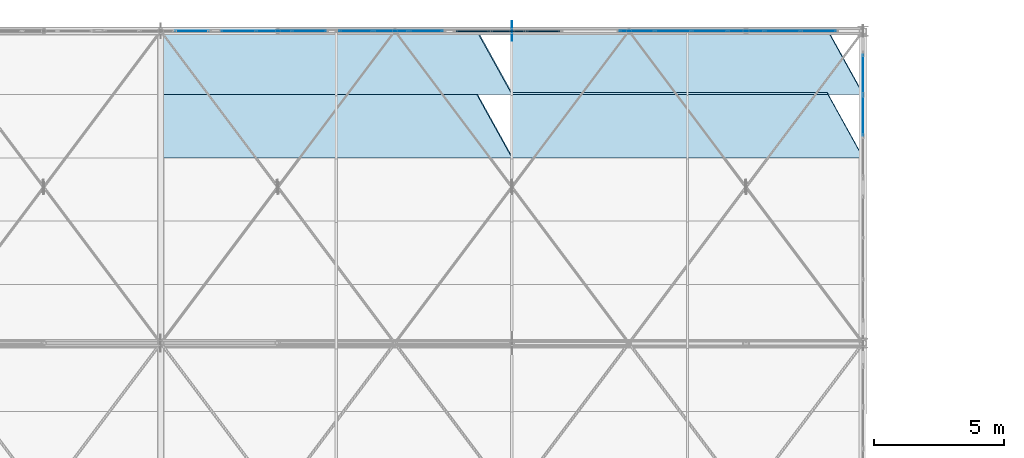
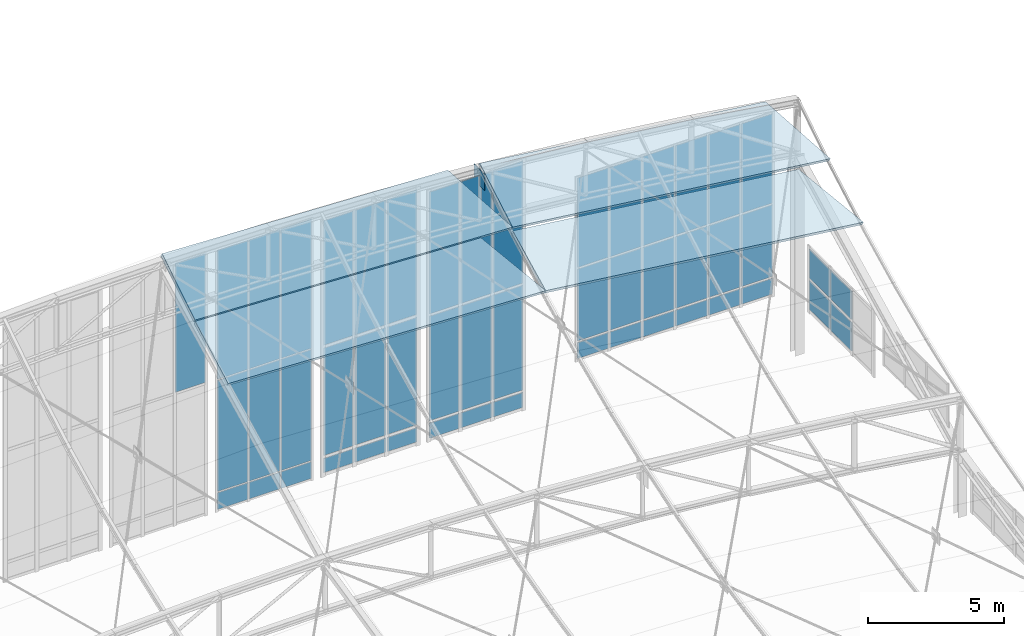
# One storey, part 235 of 262: 51 plates, 4 slabs, 6 elements without a shape of their own.
"""IFC4 building model written with IfcOpenShell, lengths in metres."""

from ifc_helpers import new_model, si_unit, derived_unit, direction, frame, origin, origin_2d, place, context, subcontext, project, spatial, polyline, rectangle, outline, extrude, material, layer, layer_set, type_object, element, aggregate, save


model = new_model("IFC4")

# Units and contexts
model_context = context("Model", 3, precision=1e-05, world=origin(), true_north=direction((0.0, 1.0)))
body_context = subcontext(model_context, "Body", "Model", "MODEL_VIEW")
ifc_project = project(units=[si_unit("LENGTHUNIT", "METRE"), si_unit("AREAUNIT", "SQUARE_METRE"), si_unit("VOLUMEUNIT", "CUBIC_METRE"), si_unit("PLANEANGLEUNIT", "RADIAN"), si_unit("MASSUNIT", "GRAM", prefix="KILO"), derived_unit("THERMALTRANSMITTANCEUNIT", [(si_unit("POWERUNIT", "WATT"), 1), (si_unit("LENGTHUNIT", "METRE"), -2), (si_unit("THERMODYNAMICTEMPERATUREUNIT", "KELVIN"), -1)])], contexts=[model_context])

# Site, building, storey
site_placement = place(None, origin())
site = spatial("IfcSite", under=ifc_project, at=site_placement, CompositionType="ELEMENT")
building_placement = place(site_placement, origin())
building = spatial("IfcBuilding", under=site, at=building_placement, Name="Almenara Railside Exhibition Hall", CompositionType="ELEMENT")
storey_placement = place(building_placement, frame((0.0, 0.0, 21.699951171875)))
storey = spatial("IfcBuildingStorey", under=building, at=storey_placement, Name="RF", CompositionType="ELEMENT", Elevation=21.699951171875)

# Curtain wall, plates
ifc_material_1 = material(Name="Bronze-anodised aluminium and low-E double glazing", Category="aluminium")
ifc_layer_1 = layer(ifc_material_1, 0.179931640625, Name="Bronze-anodised aluminium and low-E double glazing")
ifc_layer_set_1 = layer_set([ifc_layer_1], Name="Bronze-anodised aluminium and low-E double glazing")
curtain_wall_type_1 = type_object("IfcCurtainWallType", Name="West Hall Clerestory Curtain Wall 4200x2400", PredefinedType="NOTDEFINED", material=ifc_layer_set_1)
curtain_wall_1_placement = place(storey_placement, origin())
curtain_wall_1 = element("IfcCurtainWall", 1, at=curtain_wall_1_placement, inside=storey, type_object=curtain_wall_type_1, Name="Curtain wall CW-CL1-195", PredefinedType="NOTDEFINED")
ifc_material_2 = material(Name="Solar-control acoustic laminated glazing", Category="glass")
ifc_layer_2 = layer(ifc_material_2, 0.031982421875, Name="Solar-control acoustic laminated glazing")
ifc_layer_set_2 = layer_set([ifc_layer_2], Name="Solar-control acoustic laminated glazing")
plate_type_1 = type_object("IfcPlateType", Name="Acoustic Low-E Double Glazing Panel 32mm", PredefinedType="CURTAIN_PANEL", material=ifc_layer_set_2)
plate_1_placement = place(storey_placement, frame((66.0, 128.75, 0.093994140625), z_axis=(0.0, 0.0, 1.0), x_axis=(0.0, 1.0, 0.0)))
plate_1 = element("IfcPlate", 2, at=plate_1_placement, type_object=plate_type_1, Name="CW-CL1-195 panel 2.1", PredefinedType="CURTAIN_PANEL", context=body_context, shape_type="SweptSolid", body=[
    extrude(rectangle(XDim=1.5458984375, YDim=0.031982421875, at=origin_2d()), origin(), (0.0, 0.0, 1.0), 1.287109375),
])
plate_2_placement = place(storey_placement, frame((66.0, 128.75, 1.509033203125), z_axis=(0.0, 0.0, 1.0), x_axis=(0.0, 1.0, 0.0)))
plate_2 = element("IfcPlate", 3, at=plate_2_placement, type_object=plate_type_1, Name="CW-CL1-195 panel 2.2", PredefinedType="CURTAIN_PANEL", context=body_context, shape_type="SweptSolid", body=[
    extrude(rectangle(XDim=1.5458984375, YDim=0.031982421875, at=origin_2d()), origin(), (0.0, 0.0, 1.0), 1.287109375),
])
plate_3_placement = place(storey_placement, frame((66.0, 130.33251953125, 0.093994140625), z_axis=(0.0, 0.0, 1.0), x_axis=(0.0, 1.0, 0.0)))
plate_3 = element("IfcPlate", 4, at=plate_3_placement, type_object=plate_type_1, Name="CW-CL1-195 panel 3.1", PredefinedType="CURTAIN_PANEL", context=body_context, shape_type="SweptSolid", body=[
    extrude(rectangle(XDim=1.510986328125, YDim=0.031982421875, at=origin_2d()), origin(), (0.0, 0.0, 1.0), 1.287109375),
])
plate_4_placement = place(storey_placement, frame((66.0, 130.33251953125, 1.509033203125), z_axis=(0.0, 0.0, 1.0), x_axis=(0.0, 1.0, 0.0)))
plate_4 = element("IfcPlate", 5, at=plate_4_placement, type_object=plate_type_1, Name="CW-CL1-195 panel 3.2", PredefinedType="CURTAIN_PANEL", context=body_context, shape_type="SweptSolid", body=[
    extrude(rectangle(XDim=1.510986328125, YDim=0.031982421875, at=origin_2d()), origin(), (0.0, 0.0, 1.0), 1.287109375),
])
aggregate(curtain_wall_1, [plate_1, plate_2, plate_3, plate_4])

# Curtain wall, plate
ifc_layer_3 = layer(ifc_material_1, 0.179931640625, Name="Bronze-anodised aluminium and low-E double glazing")
ifc_layer_set_3 = layer_set([ifc_layer_3], Name="Bronze-anodised aluminium and low-E double glazing")
curtain_wall_type_2 = type_object("IfcCurtainWallType", Name="Scroll Gable Tall Curtain Wall 3800x5400", PredefinedType="NOTDEFINED", material=ifc_layer_set_3)
curtain_wall_2_placement = place(storey_placement, origin())
curtain_wall_2 = element("IfcCurtainWall", 6, at=curtain_wall_2_placement, inside=storey, type_object=curtain_wall_type_2, Name="Curtain wall CW-G1-210", PredefinedType="NOTDEFINED")
plate_5_placement = place(storey_placement, frame((40.20166015625, 132.0, 5.06396484375), z_axis=(0.0, 0.0, 1.0), x_axis=(1.0, 0.0, 0.0)))
plate_5 = element("IfcPlate", 7, at=plate_5_placement, type_object=plate_type_1, Name="CW-G1-210 panel 3.3", PredefinedType="CURTAIN_PANEL", context=body_context, shape_type="SweptSolid", body=[
    extrude(rectangle(XDim=1.292724609375, YDim=0.031982421875, at=origin_2d()), origin(), (0.0, 0.0, 1.0), 5.7919921875),
])
aggregate(curtain_wall_2, [plate_5])

# Curtain wall, plates
curtain_wall_3_placement = place(storey_placement, origin())
curtain_wall_3 = element("IfcCurtainWall", 8, at=curtain_wall_3_placement, inside=storey, type_object=curtain_wall_type_2, Name="Curtain wall CW-G1-212", PredefinedType="NOTDEFINED")
ifc_material_3 = material(Name="Clear low-E laminated double glazing", Category="glass")
ifc_layer_4 = layer(ifc_material_3, 0.02392578125, Name="Clear low-E laminated double glazing")
ifc_layer_set_4 = layer_set([ifc_layer_4], Name="Clear low-E laminated double glazing")
plate_type_2 = type_object("IfcPlateType", Name="Courtyard Clear Double Glazing Panel 24mm", PredefinedType="CURTAIN_PANEL", material=ifc_layer_set_4)
plate_6_placement = place(storey_placement, frame((46.500732421875, 132.0, -0.756103515625), z_axis=(0.0, 0.0, 1.0), x_axis=(1.0, 0.0, 0.0)))
plate_6 = element("IfcPlate", 9, at=plate_6_placement, type_object=plate_type_2, Name="CW-G1-212 panel 1.1", PredefinedType="CURTAIN_PANEL", context=body_context, shape_type="SweptSolid", body=[
    extrude(rectangle(XDim=1.277587890625, YDim=0.02392578125, at=origin_2d()), origin(), (0.0, 0.0, 1.0), 0.64208984375),
])
plate_7_placement = place(storey_placement, frame((46.500732421875, 132.0, 0.01416015625), z_axis=(0.0, 0.0, 1.0), x_axis=(1.0, 0.0, 0.0)))
plate_7 = element("IfcPlate", 10, at=plate_7_placement, type_object=plate_type_2, Name="CW-G1-212 panel 1.2", PredefinedType="CURTAIN_PANEL", context=body_context, shape_type="SweptSolid", body=[
    extrude(rectangle(XDim=1.277587890625, YDim=0.02392578125, at=origin_2d()), origin(), (0.0, 0.0, 1.0), 4.826904296875),
])
plate_8_placement = place(storey_placement, frame((46.500732421875, 132.0, 4.96923828125), z_axis=(0.0, 0.0, 1.0), x_axis=(1.0, 0.0, 0.0)))
plate_8 = element("IfcPlate", 11, at=plate_8_placement, type_object=plate_type_2, Name="CW-G1-212 panel 1.3", PredefinedType="CURTAIN_PANEL", context=body_context, shape_type="SweptSolid", body=[
    extrude(rectangle(XDim=1.277587890625, YDim=0.02392578125, at=origin_2d()), origin(), (0.0, 0.0, 1.0), 5.596923828125),
])
plate_9_placement = place(storey_placement, frame((47.85009765625, 132.0, -0.756103515625), z_axis=(0.0, 0.0, 1.0), x_axis=(1.0, 0.0, 0.0)))
plate_9 = element("IfcPlate", 12, at=plate_9_placement, type_object=plate_type_2, Name="CW-G1-212 panel 2.1", PredefinedType="CURTAIN_PANEL", context=body_context, shape_type="SweptSolid", body=[
    extrude(rectangle(XDim=1.312744140625, YDim=0.02392578125, at=origin_2d()), origin(), (0.0, 0.0, 1.0), 0.64208984375),
])
plate_10_placement = place(storey_placement, frame((47.85009765625, 132.0, 0.01416015625), z_axis=(0.0, 0.0, 1.0), x_axis=(1.0, 0.0, 0.0)))
plate_10 = element("IfcPlate", 13, at=plate_10_placement, type_object=plate_type_2, Name="CW-G1-212 panel 2.2", PredefinedType="CURTAIN_PANEL", context=body_context, shape_type="SweptSolid", body=[
    extrude(rectangle(XDim=1.312744140625, YDim=0.02392578125, at=origin_2d()), origin(), (0.0, 0.0, 1.0), 4.826904296875),
])
plate_11_placement = place(storey_placement, frame((47.85009765625, 132.0, 4.96923828125), z_axis=(0.0, 0.0, 1.0), x_axis=(1.0, 0.0, 0.0)))
plate_11 = element("IfcPlate", 14, at=plate_11_placement, type_object=plate_type_2, Name="CW-G1-212 panel 2.3", PredefinedType="CURTAIN_PANEL", context=body_context, shape_type="SweptSolid", body=[
    extrude(rectangle(XDim=1.312744140625, YDim=0.02392578125, at=origin_2d()), origin(), (0.0, 0.0, 1.0), 5.596923828125),
])
plate_12_placement = place(storey_placement, frame((49.19921875, 132.0, -0.756103515625), z_axis=(0.0, 0.0, 1.0), x_axis=(1.0, 0.0, 0.0)))
plate_12 = element("IfcPlate", 15, at=plate_12_placement, type_object=plate_type_2, Name="CW-G1-212 panel 3.1", PredefinedType="CURTAIN_PANEL", context=body_context, shape_type="SweptSolid", body=[
    extrude(rectangle(XDim=1.277587890625, YDim=0.02392578125, at=origin_2d()), origin(), (0.0, 0.0, 1.0), 0.64208984375),
])
plate_13_placement = place(storey_placement, frame((49.19921875, 132.0, 0.01416015625), z_axis=(0.0, 0.0, 1.0), x_axis=(1.0, 0.0, 0.0)))
plate_13 = element("IfcPlate", 16, at=plate_13_placement, type_object=plate_type_2, Name="CW-G1-212 panel 3.2", PredefinedType="CURTAIN_PANEL", context=body_context, shape_type="SweptSolid", body=[
    extrude(rectangle(XDim=1.277587890625, YDim=0.02392578125, at=origin_2d()), origin(), (0.0, 0.0, 1.0), 4.826904296875),
])
plate_14_placement = place(storey_placement, frame((49.19921875, 132.0, 4.96923828125), z_axis=(0.0, 0.0, 1.0), x_axis=(1.0, 0.0, 0.0)))
plate_14 = element("IfcPlate", 17, at=plate_14_placement, type_object=plate_type_2, Name="CW-G1-212 panel 3.3", PredefinedType="CURTAIN_PANEL", context=body_context, shape_type="SweptSolid", body=[
    extrude(rectangle(XDim=1.277587890625, YDim=0.02392578125, at=origin_2d()), origin(), (0.0, 0.0, 1.0), 5.596923828125),
])
aggregate(curtain_wall_3, [plate_6, plate_7, plate_8, plate_9, plate_10, plate_11, plate_12, plate_13, plate_14])

curtain_wall_4_placement = place(storey_placement, origin())
curtain_wall_4 = element("IfcCurtainWall", 18, at=curtain_wall_4_placement, inside=storey, type_object=curtain_wall_type_2, Name="Curtain wall CW-G1-213", PredefinedType="NOTDEFINED")
ifc_material_4 = material(Name="Bronze-anodised insulated aluminium spandrel", Category="aluminium")
ifc_layer_5 = layer(ifc_material_4, 0.0400390625, Name="Bronze-anodised insulated aluminium spandrel")
ifc_layer_set_5 = layer_set([ifc_layer_5], Name="Bronze-anodised insulated aluminium spandrel")
plate_type_3 = type_object("IfcPlateType", Name="Insulated Bronze Spandrel Panel 40mm", PredefinedType="CURTAIN_PANEL", material=ifc_layer_set_5)
plate_15_placement = place(storey_placement, frame((50.99951171875, 132.0, -0.77587890625), z_axis=(0.0, 0.0, 1.0), x_axis=(1.0, 0.0, 0.0)))
plate_15 = element("IfcPlate", 19, at=plate_15_placement, type_object=plate_type_3, Name="CW-G1-213 panel 1.1", PredefinedType="CURTAIN_PANEL", context=body_context, shape_type="SweptSolid", body=[
    extrude(rectangle(XDim=1.28515625, YDim=0.0400390625, at=origin_2d()), origin(), (0.0, 0.0, 1.0), 0.672119140625),
])
plate_16_placement = place(storey_placement, frame((50.99951171875, 132.0, 0.00390625), z_axis=(0.0, 0.0, 1.0), x_axis=(1.0, 0.0, 0.0)))
plate_16 = element("IfcPlate", 20, at=plate_16_placement, type_object=plate_type_3, Name="CW-G1-213 panel 1.2", PredefinedType="CURTAIN_PANEL", context=body_context, shape_type="SweptSolid", body=[
    extrude(rectangle(XDim=1.28515625, YDim=0.0400390625, at=origin_2d()), origin(), (0.0, 0.0, 1.0), 4.697021484375),
])
plate_17_placement = place(storey_placement, frame((50.99951171875, 132.0, 4.80908203125), z_axis=(0.0, 0.0, 1.0), x_axis=(1.0, 0.0, 0.0)))
plate_17 = element("IfcPlate", 21, at=plate_17_placement, type_object=plate_type_3, Name="CW-G1-213 panel 1.3", PredefinedType="CURTAIN_PANEL", context=body_context, shape_type="SweptSolid", body=[
    extrude(rectangle(XDim=1.28515625, YDim=0.0400390625, at=origin_2d()), origin(), (0.0, 0.0, 1.0), 5.47705078125),
])
plate_18_placement = place(storey_placement, frame((52.35009765625, 132.0, -0.77587890625), z_axis=(0.0, 0.0, 1.0), x_axis=(1.0, 0.0, 0.0)))
plate_18 = element("IfcPlate", 22, at=plate_18_placement, type_object=plate_type_3, Name="CW-G1-213 panel 2.1", PredefinedType="CURTAIN_PANEL", context=body_context, shape_type="SweptSolid", body=[
    extrude(rectangle(XDim=1.317626953125, YDim=0.0400390625, at=origin_2d()), origin(), (0.0, 0.0, 1.0), 0.672119140625),
])
plate_19_placement = place(storey_placement, frame((52.35009765625, 132.0, 0.00390625), z_axis=(0.0, 0.0, 1.0), x_axis=(1.0, 0.0, 0.0)))
plate_19 = element("IfcPlate", 23, at=plate_19_placement, type_object=plate_type_3, Name="CW-G1-213 panel 2.2", PredefinedType="CURTAIN_PANEL", context=body_context, shape_type="SweptSolid", body=[
    extrude(rectangle(XDim=1.317626953125, YDim=0.0400390625, at=origin_2d()), origin(), (0.0, 0.0, 1.0), 4.697021484375),
])
plate_20_placement = place(storey_placement, frame((52.35009765625, 132.0, 4.80908203125), z_axis=(0.0, 0.0, 1.0), x_axis=(1.0, 0.0, 0.0)))
plate_20 = element("IfcPlate", 24, at=plate_20_placement, type_object=plate_type_3, Name="CW-G1-213 panel 2.3", PredefinedType="CURTAIN_PANEL", context=body_context, shape_type="SweptSolid", body=[
    extrude(rectangle(XDim=1.317626953125, YDim=0.0400390625, at=origin_2d()), origin(), (0.0, 0.0, 1.0), 5.47705078125),
])
plate_21_placement = place(storey_placement, frame((53.700439453125, 132.0, -0.77587890625), z_axis=(0.0, 0.0, 1.0), x_axis=(1.0, 0.0, 0.0)))
plate_21 = element("IfcPlate", 25, at=plate_21_placement, type_object=plate_type_3, Name="CW-G1-213 panel 3.1", PredefinedType="CURTAIN_PANEL", context=body_context, shape_type="SweptSolid", body=[
    extrude(rectangle(XDim=1.28515625, YDim=0.0400390625, at=origin_2d()), origin(), (0.0, 0.0, 1.0), 0.672119140625),
])
plate_22_placement = place(storey_placement, frame((53.700439453125, 132.0, 0.00390625), z_axis=(0.0, 0.0, 1.0), x_axis=(1.0, 0.0, 0.0)))
plate_22 = element("IfcPlate", 26, at=plate_22_placement, type_object=plate_type_3, Name="CW-G1-213 panel 3.2", PredefinedType="CURTAIN_PANEL", context=body_context, shape_type="SweptSolid", body=[
    extrude(rectangle(XDim=1.28515625, YDim=0.0400390625, at=origin_2d()), origin(), (0.0, 0.0, 1.0), 4.697021484375),
])
plate_23_placement = place(storey_placement, frame((53.700439453125, 132.0, 4.80908203125), z_axis=(0.0, 0.0, 1.0), x_axis=(1.0, 0.0, 0.0)))
plate_23 = element("IfcPlate", 27, at=plate_23_placement, type_object=plate_type_3, Name="CW-G1-213 panel 3.3", PredefinedType="CURTAIN_PANEL", context=body_context, shape_type="SweptSolid", body=[
    extrude(rectangle(XDim=1.28515625, YDim=0.0400390625, at=origin_2d()), origin(), (0.0, 0.0, 1.0), 5.47705078125),
])
aggregate(curtain_wall_4, [plate_15, plate_16, plate_17, plate_18, plate_19, plate_20, plate_21, plate_22, plate_23])

curtain_wall_5_placement = place(storey_placement, origin())
curtain_wall_5 = element("IfcCurtainWall", 28, at=curtain_wall_5_placement, inside=storey, type_object=curtain_wall_type_2, Name="Curtain wall CW-G1-206", PredefinedType="NOTDEFINED")
ifc_material_5 = material(Name="Solar-control low-E laminated double glazing", Category="glass")
ifc_layer_6 = layer(ifc_material_5, 0.028076171875, Name="Solar-control low-E laminated double glazing")
ifc_layer_set_6 = layer_set([ifc_layer_6], Name="Solar-control low-E laminated double glazing")
plate_type_4 = type_object("IfcPlateType", Name="Low-E Solar Control Double Glazing Panel 28mm", PredefinedType="CURTAIN_PANEL", material=ifc_layer_set_6)
plate_24_placement = place(storey_placement, frame((57.31494140625, 132.0, 0.59423828125), z_axis=(0.0, 0.0, 1.0), x_axis=(1.0, 0.0, 0.0)))
plate_24 = element("IfcPlate", 29, at=plate_24_placement, type_object=plate_type_4, Name="CW-G1-206 panel 1.1", PredefinedType="CURTAIN_PANEL", context=body_context, shape_type="SweptSolid", body=[
    extrude(rectangle(XDim=1.325927734375, YDim=0.028076171875, at=origin_2d()), origin(), (0.0, 0.0, 1.0), 0.717041015625),
])
plate_25_placement = place(storey_placement, frame((57.31494140625, 132.0, 1.38916015625), z_axis=(0.0, 0.0, 1.0), x_axis=(1.0, 0.0, 0.0)))
plate_25 = element("IfcPlate", 30, at=plate_25_placement, type_object=plate_type_4, Name="CW-G1-206 panel 1.2", PredefinedType="CURTAIN_PANEL", context=body_context, shape_type="SweptSolid", body=[
    extrude(rectangle(XDim=1.325927734375, YDim=0.028076171875, at=origin_2d()), origin(), (0.0, 0.0, 1.0), 3.221923828125),
])
plate_26_placement = place(storey_placement, frame((57.31494140625, 132.0, 4.68896484375), z_axis=(0.0, 0.0, 1.0), x_axis=(1.0, 0.0, 0.0)))
plate_26 = element("IfcPlate", 31, at=plate_26_placement, type_object=plate_type_4, Name="CW-G1-206 panel 1.3", PredefinedType="CURTAIN_PANEL", context=body_context, shape_type="SweptSolid", body=[
    extrude(rectangle(XDim=1.325927734375, YDim=0.028076171875, at=origin_2d()), origin(), (0.0, 0.0, 1.0), 4.01708984375),
])
plate_27_placement = place(storey_placement, frame((58.699951171875, 132.0, 0.59423828125), z_axis=(0.0, 0.0, 1.0), x_axis=(1.0, 0.0, 0.0)))
plate_27 = element("IfcPlate", 32, at=plate_27_placement, type_object=plate_type_4, Name="CW-G1-206 panel 2.1", PredefinedType="CURTAIN_PANEL", context=body_context, shape_type="SweptSolid", body=[
    extrude(rectangle(XDim=1.35595703125, YDim=0.028076171875, at=origin_2d()), origin(), (0.0, 0.0, 1.0), 0.717041015625),
])
plate_28_placement = place(storey_placement, frame((58.699951171875, 132.0, 1.38916015625), z_axis=(0.0, 0.0, 1.0), x_axis=(1.0, 0.0, 0.0)))
plate_28 = element("IfcPlate", 33, at=plate_28_placement, type_object=plate_type_4, Name="CW-G1-206 panel 2.2", PredefinedType="CURTAIN_PANEL", context=body_context, shape_type="SweptSolid", body=[
    extrude(rectangle(XDim=1.35595703125, YDim=0.028076171875, at=origin_2d()), origin(), (0.0, 0.0, 1.0), 3.221923828125),
])
plate_29_placement = place(storey_placement, frame((58.699951171875, 132.0, 4.68896484375), z_axis=(0.0, 0.0, 1.0), x_axis=(1.0, 0.0, 0.0)))
plate_29 = element("IfcPlate", 34, at=plate_29_placement, type_object=plate_type_4, Name="CW-G1-206 panel 2.3", PredefinedType="CURTAIN_PANEL", context=body_context, shape_type="SweptSolid", body=[
    extrude(rectangle(XDim=1.35595703125, YDim=0.028076171875, at=origin_2d()), origin(), (0.0, 0.0, 1.0), 4.01708984375),
])
plate_30_placement = place(storey_placement, frame((60.10009765625, 132.0, 0.59423828125), z_axis=(0.0, 0.0, 1.0), x_axis=(1.0, 0.0, 0.0)))
plate_30 = element("IfcPlate", 35, at=plate_30_placement, type_object=plate_type_4, Name="CW-G1-206 panel 3.1", PredefinedType="CURTAIN_PANEL", context=body_context, shape_type="SweptSolid", body=[
    extrude(rectangle(XDim=1.35595703125, YDim=0.028076171875, at=origin_2d()), origin(), (0.0, 0.0, 1.0), 0.717041015625),
])
plate_31_placement = place(storey_placement, frame((60.10009765625, 132.0, 1.38916015625), z_axis=(0.0, 0.0, 1.0), x_axis=(1.0, 0.0, 0.0)))
plate_31 = element("IfcPlate", 36, at=plate_31_placement, type_object=plate_type_4, Name="CW-G1-206 panel 3.2", PredefinedType="CURTAIN_PANEL", context=body_context, shape_type="SweptSolid", body=[
    extrude(rectangle(XDim=1.35595703125, YDim=0.028076171875, at=origin_2d()), origin(), (0.0, 0.0, 1.0), 3.221923828125),
])
plate_32_placement = place(storey_placement, frame((60.10009765625, 132.0, 4.68896484375), z_axis=(0.0, 0.0, 1.0), x_axis=(1.0, 0.0, 0.0)))
plate_32 = element("IfcPlate", 37, at=plate_32_placement, type_object=plate_type_4, Name="CW-G1-206 panel 3.3", PredefinedType="CURTAIN_PANEL", context=body_context, shape_type="SweptSolid", body=[
    extrude(rectangle(XDim=1.35595703125, YDim=0.028076171875, at=origin_2d()), origin(), (0.0, 0.0, 1.0), 4.01708984375),
])
plate_33_placement = place(storey_placement, frame((61.5, 132.0, 0.59423828125), z_axis=(0.0, 0.0, 1.0), x_axis=(1.0, 0.0, 0.0)))
plate_33 = element("IfcPlate", 38, at=plate_33_placement, type_object=plate_type_4, Name="CW-G1-206 panel 4.1", PredefinedType="CURTAIN_PANEL", context=body_context, shape_type="SweptSolid", body=[
    extrude(rectangle(XDim=1.35595703125, YDim=0.028076171875, at=origin_2d()), origin(), (0.0, 0.0, 1.0), 0.717041015625),
])
plate_34_placement = place(storey_placement, frame((61.5, 132.0, 1.38916015625), z_axis=(0.0, 0.0, 1.0), x_axis=(1.0, 0.0, 0.0)))
plate_34 = element("IfcPlate", 39, at=plate_34_placement, type_object=plate_type_4, Name="CW-G1-206 panel 4.2", PredefinedType="CURTAIN_PANEL", context=body_context, shape_type="SweptSolid", body=[
    extrude(rectangle(XDim=1.35595703125, YDim=0.028076171875, at=origin_2d()), origin(), (0.0, 0.0, 1.0), 3.221923828125),
])
plate_35_placement = place(storey_placement, frame((61.5, 132.0, 4.68896484375), z_axis=(0.0, 0.0, 1.0), x_axis=(1.0, 0.0, 0.0)))
plate_35 = element("IfcPlate", 40, at=plate_35_placement, type_object=plate_type_4, Name="CW-G1-206 panel 4.3", PredefinedType="CURTAIN_PANEL", context=body_context, shape_type="SweptSolid", body=[
    extrude(rectangle(XDim=1.35595703125, YDim=0.028076171875, at=origin_2d()), origin(), (0.0, 0.0, 1.0), 4.01708984375),
])
plate_36_placement = place(storey_placement, frame((62.89990234375, 132.0, 0.59423828125), z_axis=(0.0, 0.0, 1.0), x_axis=(1.0, 0.0, 0.0)))
plate_36 = element("IfcPlate", 41, at=plate_36_placement, type_object=plate_type_4, Name="CW-G1-206 panel 5.1", PredefinedType="CURTAIN_PANEL", context=body_context, shape_type="SweptSolid", body=[
    extrude(rectangle(XDim=1.35595703125, YDim=0.028076171875, at=origin_2d()), origin(), (0.0, 0.0, 1.0), 0.717041015625),
])
plate_37_placement = place(storey_placement, frame((62.89990234375, 132.0, 1.38916015625), z_axis=(0.0, 0.0, 1.0), x_axis=(1.0, 0.0, 0.0)))
plate_37 = element("IfcPlate", 42, at=plate_37_placement, type_object=plate_type_4, Name="CW-G1-206 panel 5.2", PredefinedType="CURTAIN_PANEL", context=body_context, shape_type="SweptSolid", body=[
    extrude(rectangle(XDim=1.35595703125, YDim=0.028076171875, at=origin_2d()), origin(), (0.0, 0.0, 1.0), 3.221923828125),
])
plate_38_placement = place(storey_placement, frame((62.89990234375, 132.0, 4.68896484375), z_axis=(0.0, 0.0, 1.0), x_axis=(1.0, 0.0, 0.0)))
plate_38 = element("IfcPlate", 43, at=plate_38_placement, type_object=plate_type_4, Name="CW-G1-206 panel 5.3", PredefinedType="CURTAIN_PANEL", context=body_context, shape_type="SweptSolid", body=[
    extrude(rectangle(XDim=1.35595703125, YDim=0.028076171875, at=origin_2d()), origin(), (0.0, 0.0, 1.0), 4.01708984375),
])
plate_39_placement = place(storey_placement, frame((64.284912109375, 132.0, 0.59423828125), z_axis=(0.0, 0.0, 1.0), x_axis=(1.0, 0.0, 0.0)))
plate_39 = element("IfcPlate", 44, at=plate_39_placement, type_object=plate_type_4, Name="CW-G1-206 panel 6.1", PredefinedType="CURTAIN_PANEL", context=body_context, shape_type="SweptSolid", body=[
    extrude(rectangle(XDim=1.325927734375, YDim=0.028076171875, at=origin_2d()), origin(), (0.0, 0.0, 1.0), 0.717041015625),
])
plate_40_placement = place(storey_placement, frame((64.284912109375, 132.0, 1.38916015625), z_axis=(0.0, 0.0, 1.0), x_axis=(1.0, 0.0, 0.0)))
plate_40 = element("IfcPlate", 45, at=plate_40_placement, type_object=plate_type_4, Name="CW-G1-206 panel 6.2", PredefinedType="CURTAIN_PANEL", context=body_context, shape_type="SweptSolid", body=[
    extrude(rectangle(XDim=1.325927734375, YDim=0.028076171875, at=origin_2d()), origin(), (0.0, 0.0, 1.0), 3.221923828125),
])
plate_41_placement = place(storey_placement, frame((64.284912109375, 132.0, 4.68896484375), z_axis=(0.0, 0.0, 1.0), x_axis=(1.0, 0.0, 0.0)))
plate_41 = element("IfcPlate", 46, at=plate_41_placement, type_object=plate_type_4, Name="CW-G1-206 panel 6.3", PredefinedType="CURTAIN_PANEL", context=body_context, shape_type="SweptSolid", body=[
    extrude(rectangle(XDim=1.325927734375, YDim=0.028076171875, at=origin_2d()), origin(), (0.0, 0.0, 1.0), 4.01708984375),
])
aggregate(curtain_wall_5, [plate_24, plate_25, plate_26, plate_27, plate_28, plate_29, plate_30, plate_31, plate_32, plate_33, plate_34, plate_35, plate_36, plate_37, plate_38, plate_39, plate_40, plate_41])

curtain_wall_6_placement = place(storey_placement, origin())
curtain_wall_6 = element("IfcCurtainWall", 47, at=curtain_wall_6_placement, inside=storey, type_object=curtain_wall_type_2, Name="Curtain wall CW-G1-211", PredefinedType="NOTDEFINED")
plate_42_placement = place(storey_placement, frame((41.9970703125, 132.0, -0.825927734375), z_axis=(0.0, 0.0, 1.0), x_axis=(1.0, 0.0, 0.0)))
plate_42 = element("IfcPlate", 48, at=plate_42_placement, type_object=plate_type_4, Name="CW-G1-211 panel 1.1", PredefinedType="CURTAIN_PANEL", context=body_context, shape_type="SweptSolid", body=[
    extrude(rectangle(XDim=1.300048828125, YDim=0.028076171875, at=origin_2d()), origin(), (0.0, 0.0, 1.0), 0.7470703125),
])
plate_43_placement = place(storey_placement, frame((41.9970703125, 132.0, -0.02099609375), z_axis=(0.0, 0.0, 1.0), x_axis=(1.0, 0.0, 0.0)))
plate_43 = element("IfcPlate", 49, at=plate_43_placement, type_object=plate_type_4, Name="CW-G1-211 panel 1.2", PredefinedType="CURTAIN_PANEL", context=body_context, shape_type="SweptSolid", body=[
    extrude(rectangle(XDim=1.300048828125, YDim=0.028076171875, at=origin_2d()), origin(), (0.0, 0.0, 1.0), 4.987060546875),
])
plate_44_placement = place(storey_placement, frame((41.9970703125, 132.0, 5.024169921875), z_axis=(0.0, 0.0, 1.0), x_axis=(1.0, 0.0, 0.0)))
plate_44 = element("IfcPlate", 50, at=plate_44_placement, type_object=plate_type_4, Name="CW-G1-211 panel 1.3", PredefinedType="CURTAIN_PANEL", context=body_context, shape_type="SweptSolid", body=[
    extrude(rectangle(XDim=1.300048828125, YDim=0.028076171875, at=origin_2d()), origin(), (0.0, 0.0, 1.0), 5.7919921875),
])
plate_45_placement = place(storey_placement, frame((43.35009765625, 132.0, -0.825927734375), z_axis=(0.0, 0.0, 1.0), x_axis=(1.0, 0.0, 0.0)))
plate_45 = element("IfcPlate", 51, at=plate_45_placement, type_object=plate_type_4, Name="CW-G1-211 panel 2.1", PredefinedType="CURTAIN_PANEL", context=body_context, shape_type="SweptSolid", body=[
    extrude(rectangle(XDim=1.32763671875, YDim=0.028076171875, at=origin_2d()), origin(), (0.0, 0.0, 1.0), 0.7470703125),
])
plate_46_placement = place(storey_placement, frame((43.35009765625, 132.0, -0.02099609375), z_axis=(0.0, 0.0, 1.0), x_axis=(1.0, 0.0, 0.0)))
plate_46 = element("IfcPlate", 52, at=plate_46_placement, type_object=plate_type_4, Name="CW-G1-211 panel 2.2", PredefinedType="CURTAIN_PANEL", context=body_context, shape_type="SweptSolid", body=[
    extrude(rectangle(XDim=1.32763671875, YDim=0.028076171875, at=origin_2d()), origin(), (0.0, 0.0, 1.0), 4.987060546875),
])
plate_47_placement = place(storey_placement, frame((43.35009765625, 132.0, 5.024169921875), z_axis=(0.0, 0.0, 1.0), x_axis=(1.0, 0.0, 0.0)))
plate_47 = element("IfcPlate", 53, at=plate_47_placement, type_object=plate_type_4, Name="CW-G1-211 panel 2.3", PredefinedType="CURTAIN_PANEL", context=body_context, shape_type="SweptSolid", body=[
    extrude(rectangle(XDim=1.32763671875, YDim=0.028076171875, at=origin_2d()), origin(), (0.0, 0.0, 1.0), 5.7919921875),
])
plate_48_placement = place(storey_placement, frame((44.702880859375, 132.0, -0.825927734375), z_axis=(0.0, 0.0, 1.0), x_axis=(1.0, 0.0, 0.0)))
plate_48 = element("IfcPlate", 54, at=plate_48_placement, type_object=plate_type_4, Name="CW-G1-211 panel 3.1", PredefinedType="CURTAIN_PANEL", context=body_context, shape_type="SweptSolid", body=[
    extrude(rectangle(XDim=1.300048828125, YDim=0.028076171875, at=origin_2d()), origin(), (0.0, 0.0, 1.0), 0.7470703125),
])
plate_49_placement = place(storey_placement, frame((44.702880859375, 132.0, -0.02099609375), z_axis=(0.0, 0.0, 1.0), x_axis=(1.0, 0.0, 0.0)))
plate_49 = element("IfcPlate", 55, at=plate_49_placement, type_object=plate_type_4, Name="CW-G1-211 panel 3.2", PredefinedType="CURTAIN_PANEL", context=body_context, shape_type="SweptSolid", body=[
    extrude(rectangle(XDim=1.300048828125, YDim=0.028076171875, at=origin_2d()), origin(), (0.0, 0.0, 1.0), 4.987060546875),
])
plate_50_placement = place(storey_placement, frame((44.702880859375, 132.0, 5.024169921875), z_axis=(0.0, 0.0, 1.0), x_axis=(1.0, 0.0, 0.0)))
plate_50 = element("IfcPlate", 56, at=plate_50_placement, type_object=plate_type_4, Name="CW-G1-211 panel 3.3", PredefinedType="CURTAIN_PANEL", context=body_context, shape_type="SweptSolid", body=[
    extrude(rectangle(XDim=1.300048828125, YDim=0.028076171875, at=origin_2d()), origin(), (0.0, 0.0, 1.0), 5.7919921875),
])
aggregate(curtain_wall_6, [plate_42, plate_43, plate_44, plate_45, plate_46, plate_47, plate_48, plate_49, plate_50])

# Slabs
ifc_material_6 = material(Name="White standing-seam insulated steel S355JR roof deck", Category="steel")
ifc_layer_7 = layer(ifc_material_6, 0.179931640625, Name="White standing-seam insulated steel S355JR roof deck")
ifc_layer_set_7 = layer_set([ifc_layer_7], Name="White standing-seam insulated steel S355JR roof deck")
slab_type = type_object("IfcSlabType", Name="Scroll Tip Standing-Seam Cassette 180mm S355JR", PredefinedType="ROOF", material=ifc_layer_set_7)
slab_1_placement = place(storey_placement, frame((39.0, 127.126708984375, 8.6025390625), z_axis=(0.035778705785, -0.476830277923, 0.878266912885), x_axis=(0.999171185047, -2.723024e-06, -0.040705564281)))
element("IfcSlab", 57, at=slab_1_placement, inside=storey, type_object=slab_type, Name="V1 roof cassette RC-V1-27C", PredefinedType="ROOF", context=body_context, shape_type="SweptSolid", body=[
    extrude(outline(polyline([(0.0, 0.0), (13.511201046071674, 0.0), (12.106126330764315, 2.7719786083306945), (-0.05385007887181834, 2.771899082044397), (0.0, 0.0)])), origin(), (0.0, 0.0, -1.0), 0.179931640625),
])
slab_2_placement = place(storey_placement, frame((52.5, 127.126708984375, 8.052490234375), z_axis=(0.108758099705, -0.442996453557, 0.889902139499), x_axis=(0.992614520736, -5.62836e-07, -0.121311224636)))
element("IfcSlab", 58, at=slab_2_placement, inside=storey, type_object=slab_type, Name="V1 roof cassette RC-V1-27D", PredefinedType="ROOF", context=body_context, shape_type="SweptSolid", body=[
    extrude(outline(polyline([(0.0, 0.0), (13.60044770379318, 1.1102230246251565e-16), (12.093161456570012, 2.7177543184080712), (-0.14713861843241866, 2.7177380956168165), (0.0, 0.0)])), origin(), (0.0, 0.0, -1.0), 0.179931640625),
])
slab_3_placement = place(storey_placement, frame((39.0, 129.563232421875, 9.98046875), z_axis=(0.034649913091, -0.525060039266, 0.850359534955), x_axis=(0.999170892081, 1.34308e-06, -0.040712754962)))
element("IfcSlab", 59, at=slab_3_placement, inside=storey, type_object=slab_type, Name="V1 roof cassette RC-V1-28C", PredefinedType="ROOF", context=body_context, shape_type="SweptSolid", body=[
    extrude(outline(polyline([(0.0, 0.0), (13.511201046247784, -5.551115123125783e-17), (12.09873163545106, 2.863178239860969), (-0.06125471278074916, 2.863218751976632), (0.0, 0.0)])), origin(), (0.0, 0.0, -1.0), 0.179931640625),
])
slab_4_placement = place(storey_placement, frame((52.5, 129.563232421875, 9.430419921875), z_axis=(0.105479726102, -0.493935025832, 0.863077179421), x_axis=(0.992614512532, -6.08638e-07, -0.121311291772)))
element("IfcSlab", 60, at=slab_4_placement, inside=storey, type_object=slab_type, Name="V1 roof cassette RC-V1-28D", PredefinedType="ROOF", context=body_context, shape_type="SweptSolid", body=[
    extrude(outline(polyline([(0.0, 0.0), (13.600447703793831, -1.1102230246251565e-16), (12.071126204536947, 2.8025051690361056), (-0.16917387046359192, 2.802487080844308), (0.0, 0.0)])), origin(), (0.0, 0.0, -1.0), 0.179931640625),
])

# Plate
ifc_material_7 = material(Name="Structural steel S355JR", Category="steel")
ifc_layer_8 = layer(ifc_material_7, 0.02392578125, Name="Structural steel S355JR")
ifc_layer_set_8 = layer_set([ifc_layer_8], Name="Structural steel S355JR")
plate_type_5 = type_object("IfcPlateType", Name="Truss Node Gusset Plate 24mm S355JR", PredefinedType="USERDEFINED", material=ifc_layer_set_8)
plate_51_placement = place(storey_placement, frame((52.5, 132.0, 9.824951171875), z_axis=(0.0, 0.0, 1.0), x_axis=(0.0, 1.0, 0.0)))
element("IfcPlate", 61, at=plate_51_placement, inside=storey, type_object=plate_type_5, Name="PLT-GUS-0039", ObjectType="GUSSET_PLATE", PredefinedType="USERDEFINED", context=body_context, shape_type="SweptSolid", body=[
    extrude(rectangle(XDim=0.75, YDim=0.02392578125, at=origin_2d()), origin(), (0.0, 0.0, 1.0), 0.75),
])

save(model, "model.ifc")
